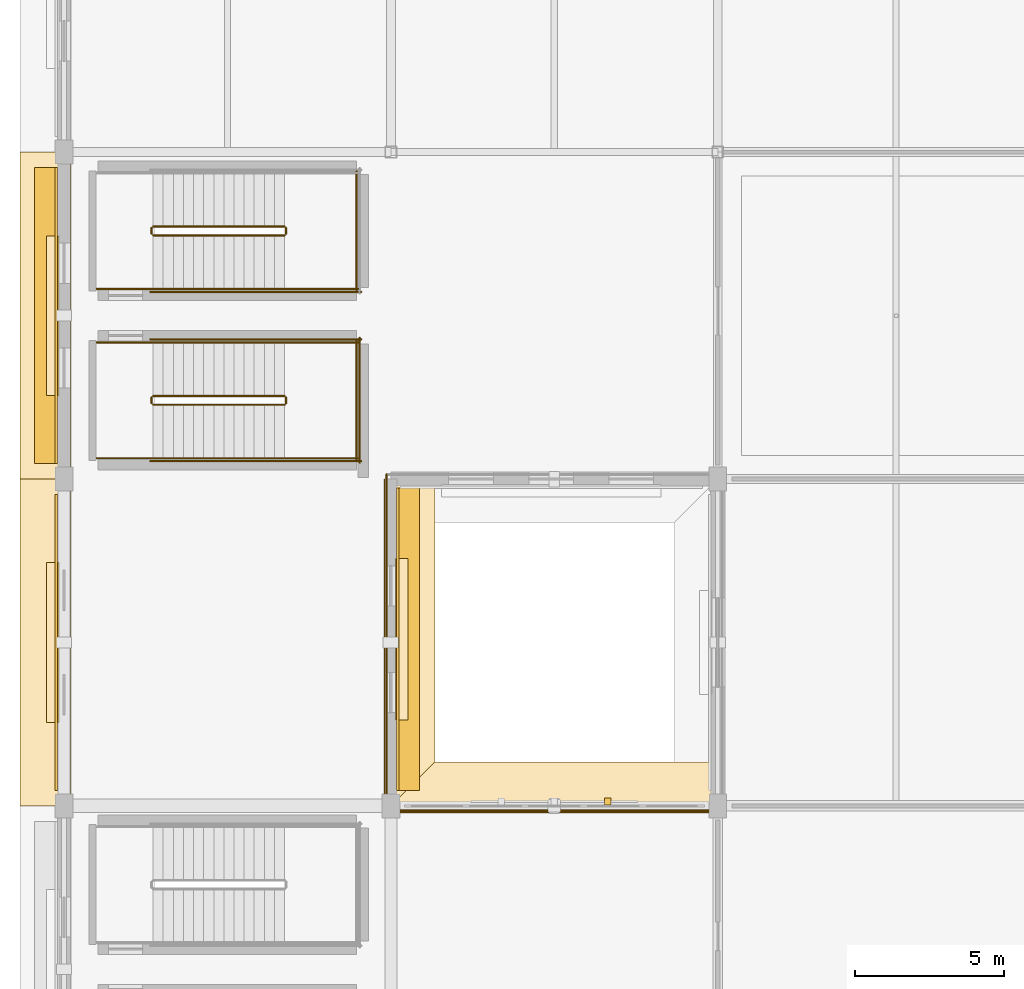
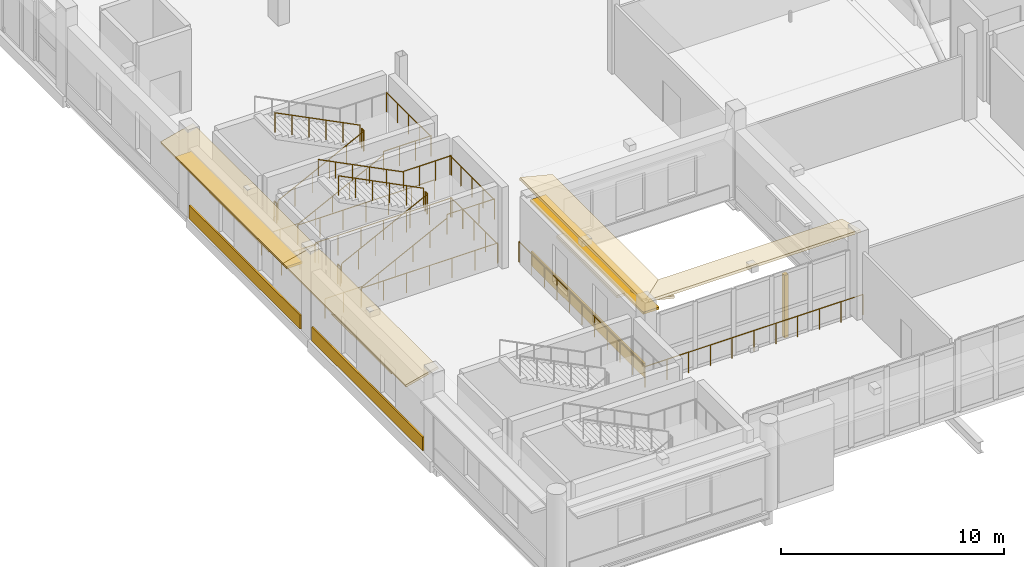
# One storey, part 118 of 143: 25 railings, 11 coverings, 2 shading devices.
"""IFC4 building model written with IfcOpenShell, lengths in metres."""

from ifc_helpers import new_model, si_unit, direction, frame, origin, origin_2d, place, context, subcontext, project, spatial, polyline, rectangle, circle, outline, extrude, material, layer, layer_set, type_object, element, save


model = new_model("IFC4")

# Units and contexts
model_context = context("Model", 3, precision=1e-05, world=origin(), true_north=direction((0.0, 1.0)))
body_context = subcontext(model_context, "Body", "Model", "MODEL_VIEW")
ifc_project = project(units=[si_unit("LENGTHUNIT", "METRE"), si_unit("AREAUNIT", "SQUARE_METRE"), si_unit("VOLUMEUNIT", "CUBIC_METRE"), si_unit("PLANEANGLEUNIT", "RADIAN"), si_unit("MASSUNIT", "GRAM", prefix="KILO")], contexts=[model_context])

# Site, building, storey
site_placement = place(None, origin())
site = spatial("IfcSite", under=ifc_project, at=site_placement, CompositionType="ELEMENT")
building_placement = place(site_placement, origin())
building = spatial("IfcBuilding", under=site, at=building_placement, Name="Luwafu Chhajja Arena", CompositionType="ELEMENT")
storey_placement = place(building_placement, frame((0.0, 0.0, 5.39990234375)))
storey = spatial("IfcBuildingStorey", under=building, at=storey_placement, Name="L01", CompositionType="ELEMENT", Elevation=5.39990234375)

# Railings
ifc_material_1 = material(Name="Stainless steel balustrade", Category="steel")
railing_type_1 = type_object("IfcRailingType", Name="Atrium Void Glazed Balustrade 1150", PredefinedType="BALUSTRADE", material=ifc_material_1)
railing_1_placement = place(storey_placement, frame((10.85009765625, 10.85009765625, 0.0)))
element("IfcRailing", 1, at=railing_1_placement, inside=storey, type_object=railing_type_1, Name="L01 Pishtaq Atrium Void Balustrade 0020", PredefinedType="BALUSTRADE", context=body_context, shape_type="SweptSolid", body=[
    extrude(circle(Radius=0.02392578125, at=origin_2d()), frame((0.0, 0.0, 1.1259765625), z_axis=(1.0, 0.0, 0.0), x_axis=(0.0, 1.0, 0.0)), (0.0, 0.0, 1.0), 11.2998046875),
    extrude(circle(Radius=0.02099609375, at=origin_2d()), origin(), (0.0, 0.0, 1.0), 1.101806640625),
    extrude(circle(Radius=0.02099609375, at=origin_2d()), frame((1.1298828125, 0.0, 0.0)), (0.0, 0.0, 1.0), 1.101806640625),
    extrude(circle(Radius=0.02099609375, at=origin_2d()), frame((2.260009765625, 0.0, 0.0)), (0.0, 0.0, 1.0), 1.101806640625),
    extrude(circle(Radius=0.02099609375, at=origin_2d()), frame((3.389892578125, 0.0, 0.0)), (0.0, 0.0, 1.0), 1.101806640625),
    extrude(circle(Radius=0.02099609375, at=origin_2d()), frame((4.52001953125, 0.0, 0.0)), (0.0, 0.0, 1.0), 1.101806640625),
    extrude(circle(Radius=0.02099609375, at=origin_2d()), frame((5.64990234375, 0.0, 0.0)), (0.0, 0.0, 1.0), 1.101806640625),
    extrude(circle(Radius=0.02099609375, at=origin_2d()), frame((6.77978515625, 0.0, 0.0)), (0.0, 0.0, 1.0), 1.101806640625),
    extrude(circle(Radius=0.02099609375, at=origin_2d()), frame((7.909912109375, 0.0, 0.0)), (0.0, 0.0, 1.0), 1.101806640625),
    extrude(circle(Radius=0.02099609375, at=origin_2d()), frame((9.039794921875, 0.0, 0.0)), (0.0, 0.0, 1.0), 1.101806640625),
    extrude(circle(Radius=0.02099609375, at=origin_2d()), frame((10.169921875, 0.0, 0.0)), (0.0, 0.0, 1.0), 1.101806640625),
    extrude(circle(Radius=0.02099609375, at=origin_2d()), frame((11.2998046875, 0.0, 0.0)), (0.0, 0.0, 1.0), 1.101806640625),
])
railing_2_placement = place(storey_placement, frame((10.85009765625, 22.14990234375, 0.0)))
element("IfcRailing", 2, at=railing_2_placement, inside=storey, type_object=railing_type_1, Name="L01 Pishtaq Atrium Void Balustrade 0023", PredefinedType="BALUSTRADE", context=body_context, shape_type="SweptSolid", body=[
    extrude(circle(Radius=0.02392578125, at=origin_2d()), frame((0.0, 0.0, 1.1259765625), z_axis=(0.0, -1.0, 0.0), x_axis=(1.0, 0.0, 0.0)), (0.0, 0.0, 1.0), 11.2998046875),
    extrude(circle(Radius=0.02099609375, at=origin_2d()), origin(), (0.0, 0.0, 1.0), 1.101806640625),
    extrude(circle(Radius=0.02099609375, at=origin_2d()), frame((0.0, -1.1298828125, 0.0)), (0.0, 0.0, 1.0), 1.101806640625),
    extrude(circle(Radius=0.02099609375, at=origin_2d()), frame((0.0, -2.260009765625, 0.0)), (0.0, 0.0, 1.0), 1.101806640625),
    extrude(circle(Radius=0.02099609375, at=origin_2d()), frame((0.0, -3.389892578125, 0.0)), (0.0, 0.0, 1.0), 1.101806640625),
    extrude(circle(Radius=0.02099609375, at=origin_2d()), frame((0.0, -4.52001953125, 0.0)), (0.0, 0.0, 1.0), 1.101806640625),
    extrude(circle(Radius=0.02099609375, at=origin_2d()), frame((0.0, -5.64990234375, 0.0)), (0.0, 0.0, 1.0), 1.101806640625),
    extrude(circle(Radius=0.02099609375, at=origin_2d()), frame((0.0, -6.77978515625, 0.0)), (0.0, 0.0, 1.0), 1.101806640625),
    extrude(circle(Radius=0.02099609375, at=origin_2d()), frame((0.0, -7.909912109375, 0.0)), (0.0, 0.0, 1.0), 1.101806640625),
    extrude(circle(Radius=0.02099609375, at=origin_2d()), frame((0.0, -9.039794921875, 0.0)), (0.0, 0.0, 1.0), 1.101806640625),
    extrude(circle(Radius=0.02099609375, at=origin_2d()), frame((0.0, -10.169921875, 0.0)), (0.0, 0.0, 1.0), 1.101806640625),
    extrude(circle(Radius=0.02099609375, at=origin_2d()), frame((0.0, -11.2998046875, 0.0)), (0.0, 0.0, 1.0), 1.101806640625),
])

# Coverings
ifc_material_2 = material(Name="Red laterite sandstone cladding", Category="masonry")
ifc_layer_1 = layer(ifc_material_2, 0.074951171875, Name="Red laterite sandstone cladding")
ifc_layer_set_1 = layer_set([ifc_layer_1], Name="Red laterite sandstone cladding")
covering_type = type_object("IfcCoveringType", Name="Dressed Red-Laterite Sandstone Cladding", PredefinedType="CLADDING", material=ifc_layer_set_1)
covering_1_placement = place(storey_placement, frame((0.199951171875, 11.0, 4.760009765625), z_axis=(-0.242502450825, 0.0, 0.970150793096), x_axis=(0.0, 1.0, 0.0)))
element("IfcCovering", 3, at=covering_1_placement, inside=storey, type_object=covering_type, Name="L01 Continuous Sloped Sandstone Chhajja Eave 0059", PredefinedType="CLADDING", context=body_context, shape_type="SweptSolid", body=[
    extrude(outline(polyline([(0.0, 0.0), (11.0, 0.0), (11.0, 1.731619097341133), (0.0, 1.731619097341133), (0.0, 0.0)])), origin(), (0.0, 0.0, -1.0), 0.1298828125),
])
covering_2_placement = place(storey_placement, frame((-0.257080078125, 16.5, 0.0), z_axis=(0.0, 0.0, 1.0), x_axis=(0.0, 1.0, 0.0)))
element("IfcCovering", 4, at=covering_2_placement, inside=storey, type_object=covering_type, Name="L01 Red-Laterite Sandstone Plinth Cladding 003", PredefinedType="CLADDING", context=body_context, shape_type="SweptSolid", body=[
    extrude(rectangle(XDim=9.9599609375, YDim=0.0849609375, at=origin_2d()), origin(), (0.0, 0.0, 1.0), 0.760009765625),
])
covering_3_placement = place(storey_placement, frame((-0.385009765625, 16.5, 2.93017578125), z_axis=(0.0, 0.0, 1.0), x_axis=(0.0, 1.0, 0.0)))
element("IfcCovering", 5, at=covering_3_placement, inside=storey, type_object=covering_type, Name="L01 Mughal Sandstone Window Chhajja Hood 0003", PredefinedType="CLADDING", context=body_context, shape_type="SweptSolid", body=[
    extrude(rectangle(XDim=5.3701171875, YDim=0.419921875, at=origin_2d()), origin(), (0.0, 0.0, 1.0), 0.139892578125),
])
covering_4_placement = place(storey_placement, frame((10.800048828125, 11.0, 4.760009765625), z_axis=(0.242502450825, 0.0, 0.970150793096), x_axis=(0.0, 1.0, 0.0)))
element("IfcCovering", 6, at=covering_4_placement, inside=storey, type_object=covering_type, Name="L01 Continuous Sloped Sandstone Chhajja Eave 0060", PredefinedType="CLADDING", context=body_context, shape_type="SweptSolid", body=[
    extrude(outline(polyline([(0.0, 0.0), (11.0, 0.0), (11.0, -1.731619097341133), (0.0, -1.731619097341133), (0.0, 0.0)])), origin(), (0.0, 0.0, -1.0), 0.1298828125),
])
covering_5_placement = place(storey_placement, frame((11.23193359375, 16.610107421875, 0.0), z_axis=(0.0, 0.0, 1.0), x_axis=(0.0, 1.0, 0.0)))
element("IfcCovering", 7, at=covering_5_placement, inside=storey, type_object=covering_type, Name="L01 Red-Laterite Sandstone Plinth Cladding 004", PredefinedType="CLADDING", context=body_context, shape_type="SweptSolid", body=[
    extrude(rectangle(XDim=10.179931640625, YDim=0.0849609375, at=origin_2d()), origin(), (0.0, 0.0, 1.0), 0.760009765625),
])
covering_6_placement = place(storey_placement, frame((11.360107421875, 16.610107421875, 2.93017578125), z_axis=(0.0, 0.0, 1.0), x_axis=(0.0, 1.0, 0.0)))
element("IfcCovering", 8, at=covering_6_placement, inside=storey, type_object=covering_type, Name="L01 Mughal Sandstone Window Chhajja Hood 0004", PredefinedType="CLADDING", context=body_context, shape_type="SweptSolid", body=[
    extrude(rectangle(XDim=5.443359375, YDim=0.419921875, at=origin_2d()), origin(), (0.0, 0.0, 1.0), 0.139892578125),
])
covering_7_placement = place(storey_placement, frame((0.199951171875, 22.0, 4.760009765625), z_axis=(-0.242502450825, 0.0, 0.970150793096), x_axis=(0.0, 1.0, 0.0)))
element("IfcCovering", 9, at=covering_7_placement, inside=storey, type_object=covering_type, Name="L01 Continuous Sloped Sandstone Chhajja Eave 0061", PredefinedType="CLADDING", context=body_context, shape_type="SweptSolid", body=[
    extrude(outline(polyline([(0.0, 0.0), (11.0, 0.0), (11.0, 1.731619097341133), (0.0, 1.731619097341133), (0.0, 0.0)])), origin(), (0.0, 0.0, -1.0), 0.1298828125),
])
covering_8_placement = place(storey_placement, frame((-0.257080078125, 27.5, 0.0), z_axis=(0.0, 0.0, 1.0), x_axis=(0.0, 1.0, 0.0)))
element("IfcCovering", 10, at=covering_8_placement, inside=storey, type_object=covering_type, Name="L01 Red-Laterite Sandstone Plinth Cladding 005", PredefinedType="CLADDING", context=body_context, shape_type="SweptSolid", body=[
    extrude(rectangle(XDim=9.9599609375, YDim=0.0849609375, at=origin_2d()), origin(), (0.0, 0.0, 1.0), 0.760009765625),
])
covering_9_placement = place(storey_placement, frame((-0.385009765625, 27.5, 2.93017578125), z_axis=(0.0, 0.0, 1.0), x_axis=(0.0, 1.0, 0.0)))
element("IfcCovering", 11, at=covering_9_placement, inside=storey, type_object=covering_type, Name="L01 Mughal Sandstone Window Chhajja Hood 0005", PredefinedType="CLADDING", context=body_context, shape_type="SweptSolid", body=[
    extrude(rectangle(XDim=5.3701171875, YDim=0.419921875, at=origin_2d()), origin(), (0.0, 0.0, 1.0), 0.139892578125),
])
covering_10_placement = place(storey_placement, frame((11.0, 10.800048828125, 4.760009765625), z_axis=(0.0, 0.242502450825, 0.970150793096), x_axis=(1.0, 0.0, 0.0)))
element("IfcCovering", 12, at=covering_10_placement, inside=storey, type_object=covering_type, Name="L01 Continuous Sloped Sandstone Chhajja Eave 0073", PredefinedType="CLADDING", context=body_context, shape_type="SweptSolid", body=[
    extrude(outline(polyline([(0.0, 0.0), (11.0, 0.0), (11.0, 1.731619097341133), (0.0, 1.731619097341133), (0.0, 0.0)])), origin(), (0.0, 0.0, -1.0), 0.1298828125),
])
covering_11_placement = place(storey_placement, frame((18.2919921875, 11.14990234375, 0.000244140625), z_axis=(0.0, 0.0, 1.0), x_axis=(1.0, 0.0, 0.0)))
element("IfcCovering", 13, at=covering_11_placement, inside=storey, type_object=covering_type, Name="L01 Sandstone Jali Mullion Fin 006", PredefinedType="CLADDING", context=body_context, shape_type="SweptSolid", body=[
    extrude(rectangle(XDim=0.219970703125, YDim=0.239990234375, at=origin_2d()), origin(), (0.0, 0.0, 1.0), 3.43994140625),
])

# Shading devices
ifc_material_3 = material(Name="Red laterite sandstone chhajja", Category="masonry")
ifc_layer_2 = layer(ifc_material_3, 0.1201171875, Name="Red laterite sandstone chhajja")
ifc_layer_set_2 = layer_set([ifc_layer_2], Name="Red laterite sandstone chhajja")
shading_device_type = type_object("IfcShadingDeviceType", Name="Sloped Red-Sandstone Chhajja Eave", PredefinedType="USERDEFINED", material=ifc_layer_set_2)
shading_device_1_placement = place(storey_placement, frame((11.56005859375, 16.610107421875, 3.469970703125), z_axis=(0.0, 0.0, 1.0), x_axis=(0.0, 1.0, 0.0)))
element("IfcShadingDevice", 14, at=shading_device_1_placement, inside=storey, type_object=shading_device_type, Name="L01 Sloped Red-Sandstone Chhajja Eave 033", ObjectType="CHHAJJA", PredefinedType="USERDEFINED", context=body_context, shape_type="SweptSolid", body=[
    extrude(rectangle(XDim=10.179931640625, YDim=0.820068359375, at=origin_2d()), origin(), (0.0, 0.0, 1.0), 0.1201171875),
])
shading_device_2_placement = place(storey_placement, frame((-0.5849609375, 27.5, 3.557861328125), z_axis=(0.0, 0.0, 1.0), x_axis=(0.0, 1.0, 0.0)))
element("IfcShadingDevice", 15, at=shading_device_2_placement, inside=storey, type_object=shading_device_type, Name="L01 Sloped Red-Sandstone Chhajja Eave 034", ObjectType="CHHAJJA", PredefinedType="USERDEFINED", context=body_context, shape_type="SweptSolid", body=[
    extrude(rectangle(XDim=9.9599609375, YDim=0.820068359375, at=origin_2d()), origin(), (0.0, 0.0, 1.0), 0.1201171875),
])

# Railings
ifc_material_4 = material(Name="Stainless steel handrail", Category="steel")
railing_type_2 = type_object("IfcRailingType", Name="Stair Pitch Wall Handrail 920", PredefinedType="HANDRAIL", material=ifc_material_4)
railing_3_placement = place(storey_placement, frame((3.0, 22.699951171875, 0.171630859375)))
element("IfcRailing", 16, at=railing_3_placement, inside=storey, type_object=railing_type_2, Name="L01 ST-13 stair handrail 1", PredefinedType="HANDRAIL", context=body_context, shape_type="SweptSolid", body=[
    extrude(circle(Radius=0.02392578125, at=origin_2d()), frame((0.0, 0.0, 0.8759765625), z_axis=(0.89292277971, 0.0, 0.450209850486), x_axis=(0.0, 1.0, 0.0)), (0.0, 0.0, 1.0), 4.949951171875),
    extrude(circle(Radius=0.02099609375, at=origin_2d()), origin(), (0.0, 0.0, 1.0), 0.851806640625),
    extrude(circle(Radius=0.02099609375, at=origin_2d()), frame((0.884033203125, 0.0, 0.44580078125)), (0.0, 0.0, 1.0), 0.851806640625),
    extrude(circle(Radius=0.02099609375, at=origin_2d()), frame((1.76806640625, 0.0, 0.891357421875)), (0.0, 0.0, 1.0), 0.851806640625),
    extrude(circle(Radius=0.02099609375, at=origin_2d()), frame((2.65185546875, 0.0, 1.337158203125)), (0.0, 0.0, 1.0), 0.851806640625),
    extrude(circle(Radius=0.02099609375, at=origin_2d()), frame((3.535888671875, 0.0, 1.78271484375)), (0.0, 0.0, 1.0), 0.851806640625),
    extrude(circle(Radius=0.02099609375, at=origin_2d()), frame((4.419921875, 0.0, 2.228515625)), (0.0, 0.0, 1.0), 0.851806640625),
])
railing_4_placement = place(storey_placement, frame((7.419921875, 26.60009765625, 2.571533203125)))
element("IfcRailing", 17, at=railing_4_placement, inside=storey, type_object=railing_type_2, Name="L01 ST-13 stair handrail 2", PredefinedType="HANDRAIL", context=body_context, shape_type="SweptSolid", body=[
    extrude(circle(Radius=0.02392578125, at=origin_2d()), frame((0.0, 0.0, 0.8759765625), z_axis=(-0.89292277971, 0.0, 0.450209850486), x_axis=(0.0, -1.0, 0.0)), (0.0, 0.0, 1.0), 4.949951171875),
    extrude(circle(Radius=0.02099609375, at=origin_2d()), origin(), (0.0, 0.0, 1.0), 0.851806640625),
    extrude(circle(Radius=0.02099609375, at=origin_2d()), frame((-0.884033203125, 0.0, 0.44580078125)), (0.0, 0.0, 1.0), 0.851806640625),
    extrude(circle(Radius=0.02099609375, at=origin_2d()), frame((-1.76806640625, 0.0, 0.891357421875)), (0.0, 0.0, 1.0), 0.851806640625),
    extrude(circle(Radius=0.02099609375, at=origin_2d()), frame((-2.65185546875, 0.0, 1.337158203125)), (0.0, 0.0, 1.0), 0.851806640625),
    extrude(circle(Radius=0.02099609375, at=origin_2d()), frame((-3.535888671875, 0.0, 1.78271484375)), (0.0, 0.0, 1.0), 0.851806640625),
    extrude(circle(Radius=0.02099609375, at=origin_2d()), frame((-4.419921875, 0.0, 2.228515625)), (0.0, 0.0, 1.0), 0.851806640625),
])
railing_5_placement = place(storey_placement, frame((3.0, 28.39990234375, 0.171630859375)))
element("IfcRailing", 18, at=railing_5_placement, inside=storey, type_object=railing_type_2, Name="L01 ST-14 stair handrail 1", PredefinedType="HANDRAIL", context=body_context, shape_type="SweptSolid", body=[
    extrude(circle(Radius=0.02392578125, at=origin_2d()), frame((0.0, 0.0, 0.8759765625), z_axis=(0.89292277971, 0.0, 0.450209850486), x_axis=(0.0, 1.0, 0.0)), (0.0, 0.0, 1.0), 4.949951171875),
    extrude(circle(Radius=0.02099609375, at=origin_2d()), origin(), (0.0, 0.0, 1.0), 0.851806640625),
    extrude(circle(Radius=0.02099609375, at=origin_2d()), frame((0.884033203125, 0.0, 0.44580078125)), (0.0, 0.0, 1.0), 0.851806640625),
    extrude(circle(Radius=0.02099609375, at=origin_2d()), frame((1.76806640625, 0.0, 0.891357421875)), (0.0, 0.0, 1.0), 0.851806640625),
    extrude(circle(Radius=0.02099609375, at=origin_2d()), frame((2.65185546875, 0.0, 1.337158203125)), (0.0, 0.0, 1.0), 0.851806640625),
    extrude(circle(Radius=0.02099609375, at=origin_2d()), frame((3.535888671875, 0.0, 1.78271484375)), (0.0, 0.0, 1.0), 0.851806640625),
    extrude(circle(Radius=0.02099609375, at=origin_2d()), frame((4.419921875, 0.0, 2.228515625)), (0.0, 0.0, 1.0), 0.851806640625),
])
railing_type_3 = type_object("IfcRailingType", Name="Stair and Terrace Guard Balustrade 1100", PredefinedType="BALUSTRADE", material=ifc_material_1)
railing_6_placement = place(storey_placement, frame((3.0, 24.5, 0.171630859375)))
element("IfcRailing", 19, at=railing_6_placement, inside=storey, type_object=railing_type_3, Name="L01 ST-13 stair guard 1", PredefinedType="BALUSTRADE", context=body_context, shape_type="SweptSolid", body=[
    extrude(circle(Radius=0.02392578125, at=origin_2d()), frame((0.0, 0.0, 1.076171875), z_axis=(0.89292277971, 0.0, 0.450209850486), x_axis=(0.0, 1.0, 0.0)), (0.0, 0.0, 1.0), 4.949951171875),
    extrude(circle(Radius=0.02099609375, at=origin_2d()), origin(), (0.0, 0.0, 1.0), 1.052001953125),
    extrude(circle(Radius=0.02099609375, at=origin_2d()), frame((0.884033203125, 0.0, 0.44580078125)), (0.0, 0.0, 1.0), 1.052001953125),
    extrude(circle(Radius=0.02099609375, at=origin_2d()), frame((1.76806640625, 0.0, 0.891357421875)), (0.0, 0.0, 1.0), 1.052001953125),
    extrude(circle(Radius=0.02099609375, at=origin_2d()), frame((2.65185546875, 0.0, 1.337158203125)), (0.0, 0.0, 1.0), 1.052001953125),
    extrude(circle(Radius=0.02099609375, at=origin_2d()), frame((3.535888671875, 0.0, 1.78271484375)), (0.0, 0.0, 1.0), 1.052001953125),
    extrude(circle(Radius=0.02099609375, at=origin_2d()), frame((4.419921875, 0.0, 2.228515625)), (0.0, 0.0, 1.0), 1.052001953125),
])
railing_7_placement = place(storey_placement, frame((7.469970703125, 24.550048828125, 2.400146484375)))
element("IfcRailing", 20, at=railing_7_placement, inside=storey, type_object=railing_type_3, Name="L01 ST-13 stair guard 2", PredefinedType="BALUSTRADE", context=body_context, shape_type="SweptSolid", body=[
    extrude(circle(Radius=0.02392578125, at=origin_2d()), frame((0.0, 0.0, 1.076171875), z_axis=(0.0, 1.0, 0.0), x_axis=(-1.0, 0.0, 0.0)), (0.0, 0.0, 1.0), 0.199951171875),
    extrude(circle(Radius=0.02099609375, at=origin_2d()), origin(), (0.0, 0.0, 1.0), 1.052001953125),
    extrude(circle(Radius=0.02099609375, at=origin_2d()), frame((0.0, 0.199951171875, 0.0)), (0.0, 0.0, 1.0), 1.052001953125),
])
for number, where, name in (
    (21, (7.419921875, 22.699951171875, 2.400146484375), "L01 ST-13 stair guard 3"),
    (22, (7.419921875, 26.60009765625, 2.400146484375), "L01 ST-13 stair guard 4"),
):
    element("IfcRailing", number, at=place(storey_placement, frame(where)), inside=storey, type_object=railing_type_3, Name=name, PredefinedType="BALUSTRADE", context=body_context, shape_type="SweptSolid", body=[
        extrude(circle(Radius=0.02392578125, at=origin_2d()), frame((0.0, 0.0, 1.076171875), z_axis=(1.0, 0.0, 0.0), x_axis=(0.0, 1.0, 0.0)), (0.0, 0.0, 1.0), 2.47998046875),
        extrude(circle(Radius=0.02099609375, at=origin_2d()), origin(), (0.0, 0.0, 1.0), 1.052001953125),
        extrude(circle(Radius=0.02099609375, at=origin_2d()), frame((0.82666015625, 0.0, 0.0)), (0.0, 0.0, 1.0), 1.052001953125),
        extrude(circle(Radius=0.02099609375, at=origin_2d()), frame((1.6533203125, 0.0, 0.0)), (0.0, 0.0, 1.0), 1.052001953125),
        extrude(circle(Radius=0.02099609375, at=origin_2d()), frame((2.47998046875, 0.0, 0.0)), (0.0, 0.0, 1.0), 1.052001953125),
    ])
railing_8_placement = place(storey_placement, frame((9.85009765625, 22.64990234375, 2.400146484375)))
element("IfcRailing", 23, at=railing_8_placement, inside=storey, type_object=railing_type_3, Name="L01 ST-13 stair guard 5", PredefinedType="BALUSTRADE", context=body_context, shape_type="SweptSolid", body=[
    extrude(circle(Radius=0.02392578125, at=origin_2d()), frame((0.0, 0.0, 1.076171875), z_axis=(0.0, 1.0, 0.0), x_axis=(-1.0, 0.0, 0.0)), (0.0, 0.0, 1.0), 4.0),
    extrude(circle(Radius=0.02099609375, at=origin_2d()), origin(), (0.0, 0.0, 1.0), 1.052001953125),
    extrude(circle(Radius=0.02099609375, at=origin_2d()), frame((0.0, 1.0, 0.0)), (0.0, 0.0, 1.0), 1.052001953125),
    extrude(circle(Radius=0.02099609375, at=origin_2d()), frame((0.0, 2.0, 0.0)), (0.0, 0.0, 1.0), 1.052001953125),
    extrude(circle(Radius=0.02099609375, at=origin_2d()), frame((0.0, 3.0, 0.0)), (0.0, 0.0, 1.0), 1.052001953125),
    extrude(circle(Radius=0.02099609375, at=origin_2d()), frame((0.0, 4.0, 0.0)), (0.0, 0.0, 1.0), 1.052001953125),
])
railing_9_placement = place(storey_placement, frame((7.419921875, 24.800048828125, 2.571533203125)))
element("IfcRailing", 24, at=railing_9_placement, inside=storey, type_object=railing_type_3, Name="L01 ST-13 stair guard 6", PredefinedType="BALUSTRADE", context=body_context, shape_type="SweptSolid", body=[
    extrude(circle(Radius=0.02392578125, at=origin_2d()), frame((0.0, 0.0, 1.076171875), z_axis=(-0.89292277971, 0.0, 0.450209850486), x_axis=(0.0, -1.0, 0.0)), (0.0, 0.0, 1.0), 4.949951171875),
    extrude(circle(Radius=0.02099609375, at=origin_2d()), origin(), (0.0, 0.0, 1.0), 1.052001953125),
    extrude(circle(Radius=0.02099609375, at=origin_2d()), frame((-0.884033203125, 0.0, 0.44580078125)), (0.0, 0.0, 1.0), 1.052001953125),
    extrude(circle(Radius=0.02099609375, at=origin_2d()), frame((-1.76806640625, 0.0, 0.891357421875)), (0.0, 0.0, 1.0), 1.052001953125),
    extrude(circle(Radius=0.02099609375, at=origin_2d()), frame((-2.65185546875, 0.0, 1.337158203125)), (0.0, 0.0, 1.0), 1.052001953125),
    extrude(circle(Radius=0.02099609375, at=origin_2d()), frame((-3.535888671875, 0.0, 1.78271484375)), (0.0, 0.0, 1.0), 1.052001953125),
    extrude(circle(Radius=0.02099609375, at=origin_2d()), frame((-4.419921875, 0.0, 2.228515625)), (0.0, 0.0, 1.0), 1.052001953125),
])
railing_10_placement = place(storey_placement, frame((2.949951171875, 24.550048828125, 0.0)))
element("IfcRailing", 25, at=railing_10_placement, inside=storey, type_object=railing_type_3, Name="L01 ST-13 stair guard 7", PredefinedType="BALUSTRADE", context=body_context, shape_type="SweptSolid", body=[
    extrude(circle(Radius=0.02392578125, at=origin_2d()), frame((0.0, 0.0, 1.076171875), z_axis=(0.0, 1.0, 0.0), x_axis=(-1.0, 0.0, 0.0)), (0.0, 0.0, 1.0), 0.199951171875),
    extrude(circle(Radius=0.02099609375, at=origin_2d()), origin(), (0.0, 0.0, 1.0), 1.052001953125),
    extrude(circle(Radius=0.02099609375, at=origin_2d()), frame((0.0, 0.199951171875, 0.0)), (0.0, 0.0, 1.0), 1.052001953125),
])
for number, where, name in (
    (26, (1.10009765625, 22.699951171875, 0.0), "L01 ST-13 stair guard 8"),
    (27, (1.10009765625, 26.60009765625, 0.0), "L01 ST-13 stair guard 9"),
):
    element("IfcRailing", number, at=place(storey_placement, frame(where)), inside=storey, type_object=railing_type_3, Name=name, PredefinedType="BALUSTRADE", context=body_context, shape_type="SweptSolid", body=[
        extrude(circle(Radius=0.02392578125, at=origin_2d()), frame((0.0, 0.0, 1.076171875), z_axis=(1.0, 0.0, 0.0), x_axis=(0.0, 1.0, 0.0)), (0.0, 0.0, 1.0), 1.89990234375),
        extrude(circle(Radius=0.02099609375, at=origin_2d()), origin(), (0.0, 0.0, 1.0), 1.052001953125),
        extrude(circle(Radius=0.02099609375, at=origin_2d()), frame((0.949951171875, 0.0, 0.0)), (0.0, 0.0, 1.0), 1.052001953125),
        extrude(circle(Radius=0.02099609375, at=origin_2d()), frame((1.89990234375, 0.0, 0.0)), (0.0, 0.0, 1.0), 1.052001953125),
    ])
for number, where, name in (
    (28, (2.89990234375, 22.60009765625, 0.0), "L01 ST-13 stair guard 10"),
    (29, (2.89990234375, 26.699951171875, 0.0), "L01 ST-13 stair guard 11"),
):
    element("IfcRailing", number, at=place(storey_placement, frame(where)), inside=storey, type_object=railing_type_3, Name=name, PredefinedType="BALUSTRADE", context=body_context, shape_type="SweptSolid", body=[
        extrude(circle(Radius=0.02392578125, at=origin_2d()), frame((0.0, 0.0, 1.076171875), z_axis=(1.0, 0.0, 0.0), x_axis=(0.0, 1.0, 0.0)), (0.0, 0.0, 1.0), 7.10009765625),
        extrude(circle(Radius=0.02099609375, at=origin_2d()), origin(), (0.0, 0.0, 1.0), 1.052001953125),
        extrude(circle(Radius=0.02099609375, at=origin_2d()), frame((1.183349609375, 0.0, 0.0)), (0.0, 0.0, 1.0), 1.052001953125),
        extrude(circle(Radius=0.02099609375, at=origin_2d()), frame((2.36669921875, 0.0, 0.0)), (0.0, 0.0, 1.0), 1.052001953125),
        extrude(circle(Radius=0.02099609375, at=origin_2d()), frame((3.550048828125, 0.0, 0.0)), (0.0, 0.0, 1.0), 1.052001953125),
        extrude(circle(Radius=0.02099609375, at=origin_2d()), frame((4.7333984375, 0.0, 0.0)), (0.0, 0.0, 1.0), 1.052001953125),
        extrude(circle(Radius=0.02099609375, at=origin_2d()), frame((5.916748046875, 0.0, 0.0)), (0.0, 0.0, 1.0), 1.052001953125),
        extrude(circle(Radius=0.02099609375, at=origin_2d()), frame((7.10009765625, 0.0, 0.0)), (0.0, 0.0, 1.0), 1.052001953125),
    ])
railing_11_placement = place(storey_placement, frame((9.949951171875, 22.550048828125, 0.0)))
element("IfcRailing", 30, at=railing_11_placement, inside=storey, type_object=railing_type_3, Name="L01 ST-13 stair guard 12", PredefinedType="BALUSTRADE", context=body_context, shape_type="SweptSolid", body=[
    extrude(circle(Radius=0.02392578125, at=origin_2d()), frame((0.0, 0.0, 1.076171875), z_axis=(0.0, 1.0, 0.0), x_axis=(-1.0, 0.0, 0.0)), (0.0, 0.0, 1.0), 4.199951171875),
    extrude(circle(Radius=0.02099609375, at=origin_2d()), origin(), (0.0, 0.0, 1.0), 1.052001953125),
    extrude(circle(Radius=0.02099609375, at=origin_2d()), frame((0.0, 1.050048828125, 0.0)), (0.0, 0.0, 1.0), 1.052001953125),
    extrude(circle(Radius=0.02099609375, at=origin_2d()), frame((0.0, 2.10009765625, 0.0)), (0.0, 0.0, 1.0), 1.052001953125),
    extrude(circle(Radius=0.02099609375, at=origin_2d()), frame((0.0, 3.14990234375, 0.0)), (0.0, 0.0, 1.0), 1.052001953125),
    extrude(circle(Radius=0.02099609375, at=origin_2d()), frame((0.0, 4.199951171875, 0.0)), (0.0, 0.0, 1.0), 1.052001953125),
])
railing_12_placement = place(storey_placement, frame((3.0, 30.199951171875, 0.171630859375)))
element("IfcRailing", 31, at=railing_12_placement, inside=storey, type_object=railing_type_3, Name="L01 ST-14 stair guard 1", PredefinedType="BALUSTRADE", context=body_context, shape_type="SweptSolid", body=[
    extrude(circle(Radius=0.02392578125, at=origin_2d()), frame((0.0, 0.0, 1.076171875), z_axis=(0.89292277971, 0.0, 0.450209850486), x_axis=(0.0, 1.0, 0.0)), (0.0, 0.0, 1.0), 4.949951171875),
    extrude(circle(Radius=0.02099609375, at=origin_2d()), origin(), (0.0, 0.0, 1.0), 1.052001953125),
    extrude(circle(Radius=0.02099609375, at=origin_2d()), frame((0.884033203125, 0.0, 0.44580078125)), (0.0, 0.0, 1.0), 1.052001953125),
    extrude(circle(Radius=0.02099609375, at=origin_2d()), frame((1.76806640625, 0.0, 0.891357421875)), (0.0, 0.0, 1.0), 1.052001953125),
    extrude(circle(Radius=0.02099609375, at=origin_2d()), frame((2.65185546875, 0.0, 1.337158203125)), (0.0, 0.0, 1.0), 1.052001953125),
    extrude(circle(Radius=0.02099609375, at=origin_2d()), frame((3.535888671875, 0.0, 1.78271484375)), (0.0, 0.0, 1.0), 1.052001953125),
    extrude(circle(Radius=0.02099609375, at=origin_2d()), frame((4.419921875, 0.0, 2.228515625)), (0.0, 0.0, 1.0), 1.052001953125),
])
railing_13_placement = place(storey_placement, frame((7.469970703125, 30.25, 2.400146484375)))
element("IfcRailing", 32, at=railing_13_placement, inside=storey, type_object=railing_type_3, Name="L01 ST-14 stair guard 2", PredefinedType="BALUSTRADE", context=body_context, shape_type="SweptSolid", body=[
    extrude(circle(Radius=0.02392578125, at=origin_2d()), frame((0.0, 0.0, 1.076171875), z_axis=(0.0, 1.0, 0.0), x_axis=(-1.0, 0.0, 0.0)), (0.0, 0.0, 1.0), 0.199951171875),
    extrude(circle(Radius=0.02099609375, at=origin_2d()), origin(), (0.0, 0.0, 1.0), 1.052001953125),
    extrude(circle(Radius=0.02099609375, at=origin_2d()), frame((0.0, 0.199951171875, 0.0)), (0.0, 0.0, 1.0), 1.052001953125),
])
railing_14_placement = place(storey_placement, frame((7.419921875, 28.39990234375, 2.400146484375)))
element("IfcRailing", 33, at=railing_14_placement, inside=storey, type_object=railing_type_3, Name="L01 ST-14 stair guard 3", PredefinedType="BALUSTRADE", context=body_context, shape_type="SweptSolid", body=[
    extrude(circle(Radius=0.02392578125, at=origin_2d()), frame((0.0, 0.0, 1.076171875), z_axis=(1.0, 0.0, 0.0), x_axis=(0.0, 1.0, 0.0)), (0.0, 0.0, 1.0), 2.47998046875),
    extrude(circle(Radius=0.02099609375, at=origin_2d()), origin(), (0.0, 0.0, 1.0), 1.052001953125),
    extrude(circle(Radius=0.02099609375, at=origin_2d()), frame((0.82666015625, 0.0, 0.0)), (0.0, 0.0, 1.0), 1.052001953125),
    extrude(circle(Radius=0.02099609375, at=origin_2d()), frame((1.6533203125, 0.0, 0.0)), (0.0, 0.0, 1.0), 1.052001953125),
    extrude(circle(Radius=0.02099609375, at=origin_2d()), frame((2.47998046875, 0.0, 0.0)), (0.0, 0.0, 1.0), 1.052001953125),
])
railing_15_placement = place(storey_placement, frame((9.85009765625, 28.35009765625, 2.400146484375)))
element("IfcRailing", 34, at=railing_15_placement, inside=storey, type_object=railing_type_3, Name="L01 ST-14 stair guard 5", PredefinedType="BALUSTRADE", context=body_context, shape_type="SweptSolid", body=[
    extrude(circle(Radius=0.02392578125, at=origin_2d()), frame((0.0, 0.0, 1.076171875), z_axis=(0.0, 1.0, 0.0), x_axis=(-1.0, 0.0, 0.0)), (0.0, 0.0, 1.0), 4.0),
    extrude(circle(Radius=0.02099609375, at=origin_2d()), origin(), (0.0, 0.0, 1.0), 1.052001953125),
    extrude(circle(Radius=0.02099609375, at=origin_2d()), frame((0.0, 1.0, 0.0)), (0.0, 0.0, 1.0), 1.052001953125),
    extrude(circle(Radius=0.02099609375, at=origin_2d()), frame((0.0, 2.0, 0.0)), (0.0, 0.0, 1.0), 1.052001953125),
    extrude(circle(Radius=0.02099609375, at=origin_2d()), frame((0.0, 3.0, 0.0)), (0.0, 0.0, 1.0), 1.052001953125),
    extrude(circle(Radius=0.02099609375, at=origin_2d()), frame((0.0, 4.0, 0.0)), (0.0, 0.0, 1.0), 1.052001953125),
])
railing_16_placement = place(storey_placement, frame((7.419921875, 30.5, 2.571533203125)))
element("IfcRailing", 35, at=railing_16_placement, inside=storey, type_object=railing_type_3, Name="L01 ST-14 stair guard 6", PredefinedType="BALUSTRADE", context=body_context, shape_type="SweptSolid", body=[
    extrude(circle(Radius=0.02392578125, at=origin_2d()), frame((0.0, 0.0, 1.076171875), z_axis=(-0.89292277971, 0.0, 0.450209850486), x_axis=(0.0, -1.0, 0.0)), (0.0, 0.0, 1.0), 4.949951171875),
    extrude(circle(Radius=0.02099609375, at=origin_2d()), origin(), (0.0, 0.0, 1.0), 1.052001953125),
    extrude(circle(Radius=0.02099609375, at=origin_2d()), frame((-0.884033203125, 0.0, 0.44580078125)), (0.0, 0.0, 1.0), 1.052001953125),
    extrude(circle(Radius=0.02099609375, at=origin_2d()), frame((-1.76806640625, 0.0, 0.891357421875)), (0.0, 0.0, 1.0), 1.052001953125),
    extrude(circle(Radius=0.02099609375, at=origin_2d()), frame((-2.65185546875, 0.0, 1.337158203125)), (0.0, 0.0, 1.0), 1.052001953125),
    extrude(circle(Radius=0.02099609375, at=origin_2d()), frame((-3.535888671875, 0.0, 1.78271484375)), (0.0, 0.0, 1.0), 1.052001953125),
    extrude(circle(Radius=0.02099609375, at=origin_2d()), frame((-4.419921875, 0.0, 2.228515625)), (0.0, 0.0, 1.0), 1.052001953125),
])
railing_17_placement = place(storey_placement, frame((2.949951171875, 30.25, 0.0)))
element("IfcRailing", 36, at=railing_17_placement, inside=storey, type_object=railing_type_3, Name="L01 ST-14 stair guard 7", PredefinedType="BALUSTRADE", context=body_context, shape_type="SweptSolid", body=[
    extrude(circle(Radius=0.02392578125, at=origin_2d()), frame((0.0, 0.0, 1.076171875), z_axis=(0.0, 1.0, 0.0), x_axis=(-1.0, 0.0, 0.0)), (0.0, 0.0, 1.0), 0.199951171875),
    extrude(circle(Radius=0.02099609375, at=origin_2d()), origin(), (0.0, 0.0, 1.0), 1.052001953125),
    extrude(circle(Radius=0.02099609375, at=origin_2d()), frame((0.0, 0.199951171875, 0.0)), (0.0, 0.0, 1.0), 1.052001953125),
])
railing_18_placement = place(storey_placement, frame((1.10009765625, 28.39990234375, 0.0)))
element("IfcRailing", 37, at=railing_18_placement, inside=storey, type_object=railing_type_3, Name="L01 ST-14 stair guard 8", PredefinedType="BALUSTRADE", context=body_context, shape_type="SweptSolid", body=[
    extrude(circle(Radius=0.02392578125, at=origin_2d()), frame((0.0, 0.0, 1.076171875), z_axis=(1.0, 0.0, 0.0), x_axis=(0.0, 1.0, 0.0)), (0.0, 0.0, 1.0), 1.89990234375),
    extrude(circle(Radius=0.02099609375, at=origin_2d()), origin(), (0.0, 0.0, 1.0), 1.052001953125),
    extrude(circle(Radius=0.02099609375, at=origin_2d()), frame((0.949951171875, 0.0, 0.0)), (0.0, 0.0, 1.0), 1.052001953125),
    extrude(circle(Radius=0.02099609375, at=origin_2d()), frame((1.89990234375, 0.0, 0.0)), (0.0, 0.0, 1.0), 1.052001953125),
])
railing_19_placement = place(storey_placement, frame((2.89990234375, 28.300048828125, 0.0)))
element("IfcRailing", 38, at=railing_19_placement, inside=storey, type_object=railing_type_3, Name="L01 ST-14 stair guard 10", PredefinedType="BALUSTRADE", context=body_context, shape_type="SweptSolid", body=[
    extrude(circle(Radius=0.02392578125, at=origin_2d()), frame((0.0, 0.0, 1.076171875), z_axis=(1.0, 0.0, 0.0), x_axis=(0.0, 1.0, 0.0)), (0.0, 0.0, 1.0), 7.10009765625),
    extrude(circle(Radius=0.02099609375, at=origin_2d()), origin(), (0.0, 0.0, 1.0), 1.052001953125),
    extrude(circle(Radius=0.02099609375, at=origin_2d()), frame((1.183349609375, 0.0, 0.0)), (0.0, 0.0, 1.0), 1.052001953125),
    extrude(circle(Radius=0.02099609375, at=origin_2d()), frame((2.36669921875, 0.0, 0.0)), (0.0, 0.0, 1.0), 1.052001953125),
    extrude(circle(Radius=0.02099609375, at=origin_2d()), frame((3.550048828125, 0.0, 0.0)), (0.0, 0.0, 1.0), 1.052001953125),
    extrude(circle(Radius=0.02099609375, at=origin_2d()), frame((4.7333984375, 0.0, 0.0)), (0.0, 0.0, 1.0), 1.052001953125),
    extrude(circle(Radius=0.02099609375, at=origin_2d()), frame((5.916748046875, 0.0, 0.0)), (0.0, 0.0, 1.0), 1.052001953125),
    extrude(circle(Radius=0.02099609375, at=origin_2d()), frame((7.10009765625, 0.0, 0.0)), (0.0, 0.0, 1.0), 1.052001953125),
])

save(model, "model.ifc")
